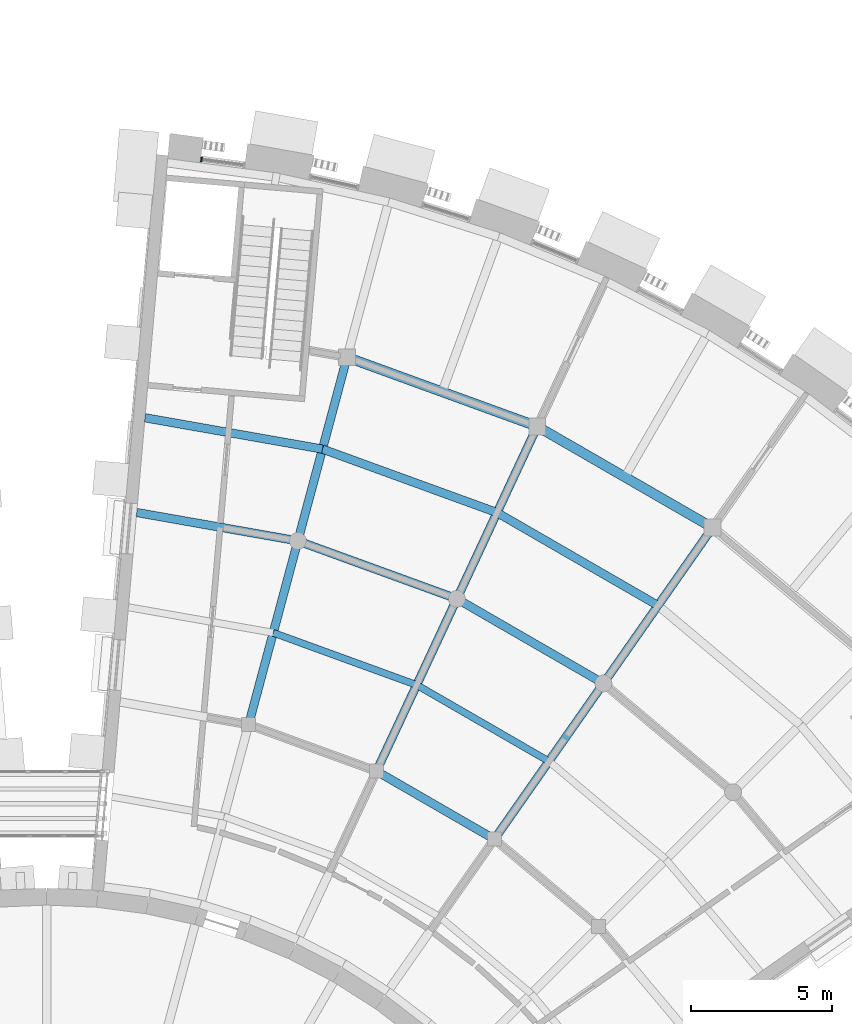
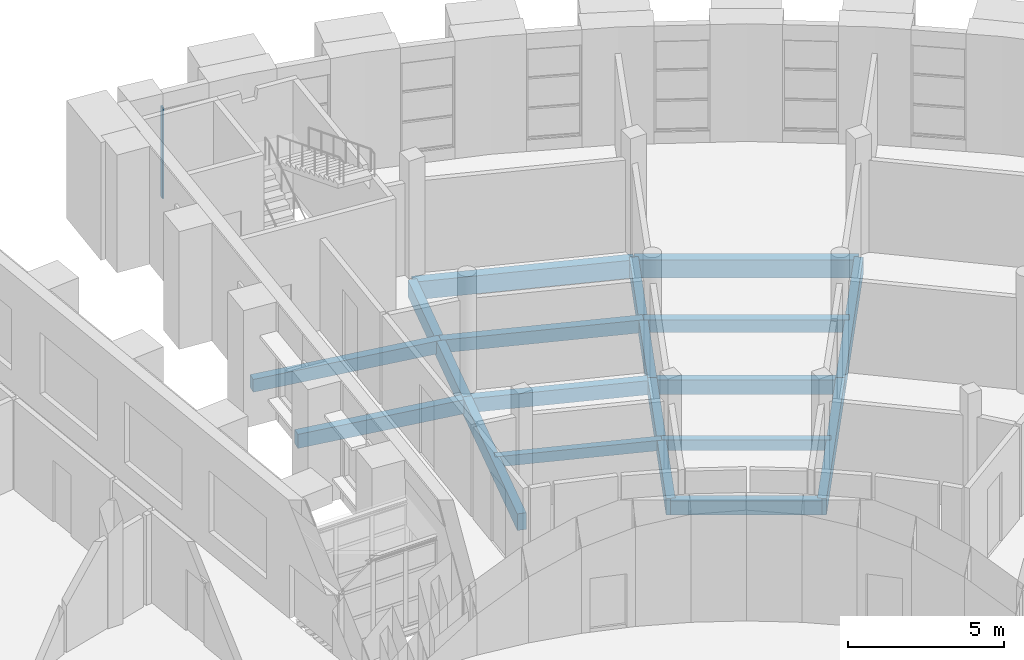
# One storey, part 22 of 66: 17 beams, 1 member, 1 element without a shape of its own.
"""IFC4 building model written with IfcOpenShell, lengths in metres."""

from ifc_helpers import new_model, si_unit, direction, frame, origin, origin_2d, place, context, subcontext, project, spatial, rectangle, extrude, material, layer, layer_set, material_profile, profile_set, type_object, element, aggregate, save


model = new_model("IFC4")

# Units and contexts
model_context = context("Model", 3, precision=1e-05, world=origin(), true_north=direction((0.0, 1.0)))
body_context = subcontext(model_context, "Body", "Model", "MODEL_VIEW")
ifc_project = project(units=[si_unit("LENGTHUNIT", "METRE"), si_unit("AREAUNIT", "SQUARE_METRE"), si_unit("VOLUMEUNIT", "CUBIC_METRE"), si_unit("PLANEANGLEUNIT", "RADIAN"), si_unit("MASSUNIT", "GRAM", prefix="KILO")], contexts=[model_context])

# Site, building, storey
site_placement = place(None, origin())
site = spatial("IfcSite", under=ifc_project, at=site_placement, CompositionType="ELEMENT")
building_placement = place(site_placement, origin())
building = spatial("IfcBuilding", under=site, at=building_placement, Name="Volute Hill Aquarium", CompositionType="ELEMENT")
storey_placement = place(building_placement, frame((0.0, 0.0, 4.60009765625)))
storey = spatial("IfcBuildingStorey", under=building, at=storey_placement, Name="L02", CompositionType="ELEMENT", Elevation=4.60009765625)

# Beams
ifc_material_1 = material(Name="Concrete C35/45", Category="concrete")
ifc_material_profile_1 = material_profile(ifc_material_1, rectangle(XDim=0.300048828125, YDim=0.550048828125, at=origin_2d()), Name="RC beam 300x550")
ifc_profile_set_1 = profile_set([ifc_material_profile_1], Name="Concrete C35/45")
beam_type_1 = type_object("IfcBeamType", Name="Beam 300x550 C35/45", PredefinedType="BEAM", material=ifc_profile_set_1)
beam_1_placement = place(storey_placement, frame((15.923828125, 22.74169921875, -0.565185546875), z_axis=(-0.866020919347, 0.500007767194, 0.0), x_axis=(-0.500007767194, -0.866020919347, 0.0)))
element("IfcBeam", 1, at=beam_1_placement, inside=storey, type_object=beam_type_1, Name="bm/S5/L02/ring1.19", PredefinedType="BEAM", context=body_context, shape_type="SweptSolid", body=[
    extrude(rectangle(XDim=0.300048828125, YDim=0.550048828125, at=origin_2d()), origin(), (0.0, 0.0, 1.0), 4.83935546875),
])
for number, where, z_axis, x_axis, name in (
    (2, (19.802734375, 28.28125, -0.565185546875), (-0.866030208905, 0.499991677195, 0.0), (-0.499991677195, -0.866030208905, 0.0), "bm/S5/L02/ring2.24"),
    (3, (14.5908203125, 31.290283203125, -0.565185546875), (-0.939687959922, 0.342032948673, 0.0), (-0.342032948673, -0.939687959922, 0.0), "bm/S5/L02/ring2.25"),
):
    element("IfcBeam", number, at=place(storey_placement, frame(where, z_axis=z_axis, x_axis=x_axis)), inside=storey, type_object=beam_type_1, Name=name, PredefinedType="BEAM", context=body_context, shape_type="SweptSolid", body=[
        extrude(rectangle(XDim=0.300048828125, YDim=0.550048828125, at=origin_2d()), origin(), (0.0, 0.0, 1.0), 6.01806640625),
    ])
beam_2_placement = place(storey_placement, frame((8.935791015625, 33.3486328125, -0.565185546875), z_axis=(-0.984812696983, 0.173620136684, 0.0), x_axis=(-0.173620136684, -0.984812696983, 0.0)))
element("IfcBeam", 4, at=beam_2_placement, inside=storey, type_object=beam_type_1, Name="bm/S5/L02/ring2.26", PredefinedType="BEAM", context=body_context, shape_type="SweptSolid", body=[
    extrude(rectangle(XDim=0.300048828125, YDim=0.550048828125, at=origin_2d()), origin(), (0.0, 0.0, 1.0), 5.8173828125),
])
ifc_material_2 = material(Name="Concrete C35/45", Category="concrete")
ifc_material_profile_2 = material_profile(ifc_material_2, rectangle(XDim=0.300048828125, YDim=0.64990234375, at=origin_2d()), Name="RC beam 300x650")
ifc_profile_set_2 = profile_set([ifc_material_profile_2], Name="Concrete C35/45")
beam_type_2 = type_object("IfcBeamType", Name="Beam 300x650 C35/45", PredefinedType="BEAM", material=ifc_profile_set_2)
beam_3_placement = place(storey_placement, frame((15.923828125, 22.74169921875, -0.614990234375), z_axis=(0.573583484669, 0.819147108959, 0.0), x_axis=(-0.819147108959, 0.573583484669, 0.0)))
element("IfcBeam", 5, at=beam_3_placement, inside=storey, type_object=beam_type_2, Name="bm/S5/L02/rad2.6", PredefinedType="BEAM", context=body_context, shape_type="SweptSolid", body=[
    extrude(rectangle(XDim=0.300048828125, YDim=0.64990234375, at=origin_2d()), origin(), (0.0, 0.0, 1.0), 6.7626953125),
])
for number, where, z_axis, x_axis, name in (
    (6, (19.802734375, 28.28125, -0.614990234375), (0.573559259618, 0.819164071299, 0.0), (-0.819164071299, 0.573559259618, 0.0), "bm/S5/L02/rad2.7"),
    (7, (11.73291015625, 25.161376953125, -0.614990234375), (0.422612703053, 0.906310379074, 0.0), (-0.906310379074, 0.422612703053, 0.0), "bm/S5/L02/rad3.10"),
):
    element("IfcBeam", number, at=place(storey_placement, frame(where, z_axis=z_axis, x_axis=x_axis)), inside=storey, type_object=beam_type_2, Name=name, PredefinedType="BEAM", context=body_context, shape_type="SweptSolid", body=[
        extrude(rectangle(XDim=0.300048828125, YDim=0.64990234375, at=origin_2d()), origin(), (0.0, 0.0, 1.0), 6.762451171875),
    ])
for number, where, z_axis, x_axis, name in (
    (8, (14.5908203125, 31.290283203125, -0.614990234375), (0.422642356692, 0.906296550986, 0.0), (-0.906296550986, 0.422642356692, 0.0), "bm/S5/L02/rad3.11"),
    (9, (7.185546875, 26.81640625, -0.614990234375), (0.258810671738, 0.965928069886, 0.0), (-0.965928069886, 0.258810671738, 0.0), "bm/S5/L02/rad4.14"),
):
    element("IfcBeam", number, at=place(storey_placement, frame(where, z_axis=z_axis, x_axis=x_axis)), inside=storey, type_object=beam_type_2, Name=name, PredefinedType="BEAM", context=body_context, shape_type="SweptSolid", body=[
        extrude(rectangle(XDim=0.300048828125, YDim=0.64990234375, at=origin_2d()), origin(), (0.0, 0.0, 1.0), 6.7626953125),
    ])
beam_4_placement = place(storey_placement, frame((8.935791015625, 33.3486328125, -0.614990234375), z_axis=(0.258819697111, 0.965925651584, 0.0), x_axis=(-0.965925651584, 0.258819697111, 0.0)))
element("IfcBeam", 10, at=beam_4_placement, inside=storey, type_object=beam_type_2, Name="bm/S5/L02/rad4.15", PredefinedType="BEAM", context=body_context, shape_type="SweptSolid", body=[
    extrude(rectangle(XDim=0.300048828125, YDim=0.64990234375, at=origin_2d()), origin(), (0.0, 0.0, 1.0), 6.762451171875),
])
ifc_material_3 = material(Name="Concrete C35/45", Category="concrete")
ifc_material_profile_3 = material_profile(ifc_material_3, rectangle(XDim=0.35009765625, YDim=0.699951171875, at=origin_2d()), Name="RC beam 350x700")
ifc_profile_set_3 = profile_set([ifc_material_profile_3], Name="Concrete C35/45")
beam_type_3 = type_object("IfcBeamType", Name="Beam 350x700 C35/45", PredefinedType="BEAM", material=ifc_profile_set_3)
beam_5_placement = place(storey_placement, frame((23.681396484375, 33.82080078125, -0.64013671875), z_axis=(-0.866019493664, 0.50001023649, 0.0), x_axis=(-0.50001023649, -0.866019493664, 0.0)))
element("IfcBeam", 11, at=beam_5_placement, inside=storey, type_object=beam_type_3, Name="bm/S5/L02/ring3.29", PredefinedType="BEAM", context=body_context, shape_type="SweptSolid", body=[
    extrude(rectangle(XDim=0.35009765625, YDim=0.699951171875, at=origin_2d()), origin(), (0.0, 0.0, 1.0), 7.196533203125),
])
beam_6_placement = place(storey_placement, frame((17.448974609375, 37.419189453125, -0.64013671875), z_axis=(-0.939696321717, 0.34200997493, 0.0), x_axis=(-0.34200997493, -0.939696321717, 0.0)))
element("IfcBeam", 12, at=beam_6_placement, inside=storey, type_object=beam_type_3, Name="bm/S5/L02/ring3.30", PredefinedType="BEAM", context=body_context, shape_type="SweptSolid", body=[
    extrude(rectangle(XDim=0.35009765625, YDim=0.699951171875, at=origin_2d()), origin(), (0.0, 0.0, 1.0), 7.197021484375),
])

# Curtain wall, member
ifc_material_4 = material(Name="Aluminium", Category="aluminium")
ifc_layer = layer(ifc_material_4, 0.25)
ifc_layer_set = layer_set([ifc_layer], Name="Curtain wall niche S5 module 1585")
curtain_wall_type = type_object("IfcCurtainWallType", Name="Curtain wall niche S5 module 1585", PredefinedType="NOTDEFINED", material=ifc_layer_set)
curtain_wall_placement = place(storey_placement, origin())
curtain_wall = element("IfcCurtainWall", 13, at=curtain_wall_placement, inside=storey, type_object=curtain_wall_type, Name="Curtain wall CW S5 L02 10", PredefinedType="NOTDEFINED")
ifc_material_5 = material(Name="Aluminium", Category="aluminium")
ifc_material_profile_4 = material_profile(ifc_material_5, rectangle(XDim=0.159912109375, YDim=0.06005859375, at=origin_2d()), Name="Curtain wall mullion S5 60x160")
ifc_profile_set_4 = profile_set([ifc_material_profile_4], Name="Aluminium")
member_type = type_object("IfcMemberType", Name="Curtain wall mullion S5 60x160", PredefinedType="MULLION", material=ifc_profile_set_4)
member_placement = place(storey_placement, frame((5.5078125, 46.912109375, 0.449951171875), z_axis=(0.0, 0.0, 1.0), x_axis=(-0.130539029372, -0.991443171246, 0.0)))
member = element("IfcMember", 14, at=member_placement, type_object=member_type, Name="CW mullion 2", PredefinedType="MULLION", context=body_context, shape_type="SweptSolid", body=[
    extrude(rectangle(XDim=0.159912109375, YDim=0.06005859375, at=origin_2d()), origin(), (0.0, 0.0, 1.0), 3.550048828125),
])
aggregate(curtain_wall, [member])

# Beams
ifc_material_6 = material(Name="Concrete C35/45", Category="concrete")
ifc_material_profile_5 = material_profile(ifc_material_6, rectangle(XDim=0.25, YDim=0.39990234375, at=origin_2d()), Name="RC joist 250x400")
ifc_profile_set_5 = profile_set([ifc_material_profile_5], Name="Concrete C35/45")
beam_type_4 = type_object("IfcBeamType", Name="Joist 250x400 C35/45", PredefinedType="BEAM", material=ifc_profile_set_5)
for number, where, z_axis, x_axis, name in (
    (15, (17.86328125, 25.511474609375, -0.489990234375), (-0.866026068486, 0.499998848701, 0.0), (-0.499998848701, -0.866026068486, 0.0), "bm/S5/L02/jst8"),
    (16, (13.161865234375, 28.225830078125, -0.489990234375), (-0.939694905115, 0.342013867117, 0.0), (-0.342013867117, -0.939694905115, 0.0), "bm/S5/L02/jst9"),
):
    element("IfcBeam", number, at=place(storey_placement, frame(where, z_axis=z_axis, x_axis=x_axis)), inside=storey, type_object=beam_type_4, Name=name, PredefinedType="BEAM", context=body_context, shape_type="SweptSolid", body=[
        extrude(rectangle(XDim=0.25, YDim=0.39990234375, at=origin_2d()), origin(), (0.0, 0.0, 1.0), 5.4287109375),
    ])
ifc_material_7 = material(Name="Concrete C35/45", Category="concrete")
ifc_material_profile_6 = material_profile(ifc_material_7, rectangle(XDim=0.300048828125, YDim=0.5, at=origin_2d()), Name="RC joist 300x500")
ifc_profile_set_6 = profile_set([ifc_material_profile_6], Name="Concrete C35/45")
beam_type_5 = type_object("IfcBeamType", Name="Joist 300x500 C35/45", PredefinedType="BEAM", material=ifc_profile_set_6)
beam_7_placement = place(storey_placement, frame((21.7421875, 31.051025390625, -0.5400390625), z_axis=(-0.866024373554, 0.500001784407, 0.0), x_axis=(-0.500001784407, -0.866024373554, 0.0)))
element("IfcBeam", 17, at=beam_7_placement, inside=storey, type_object=beam_type_5, Name="bm/S5/L02/jst13", PredefinedType="BEAM", context=body_context, shape_type="SweptSolid", body=[
    extrude(rectangle(XDim=0.300048828125, YDim=0.5, at=origin_2d()), origin(), (0.0, 0.0, 1.0), 6.607421875),
])
beam_8_placement = place(storey_placement, frame((16.02001953125, 34.354736328125, -0.5400390625), z_axis=(-0.939702773043, 0.34199224894, 0.0), x_axis=(-0.34199224894, -0.939702773043, 0.0)))
element("IfcBeam", 18, at=beam_8_placement, inside=storey, type_object=beam_type_5, Name="bm/S5/L02/jst14", PredefinedType="BEAM", context=body_context, shape_type="SweptSolid", body=[
    extrude(rectangle(XDim=0.300048828125, YDim=0.5, at=origin_2d()), origin(), (0.0, 0.0, 1.0), 6.607666015625),
])
beam_9_placement = place(storey_placement, frame((9.810791015625, 36.614501953125, -0.5400390625), z_axis=(-0.984806568003, 0.173654898053, 0.0), x_axis=(-0.173654898053, -0.984806568003, 0.0)))
element("IfcBeam", 19, at=beam_9_placement, inside=storey, type_object=beam_type_5, Name="bm/S5/L02/jst15", PredefinedType="BEAM", context=body_context, shape_type="SweptSolid", body=[
    extrude(rectangle(XDim=0.300048828125, YDim=0.5, at=origin_2d()), origin(), (0.0, 0.0, 1.0), 6.40673828125),
])

save(model, "model.ifc")
